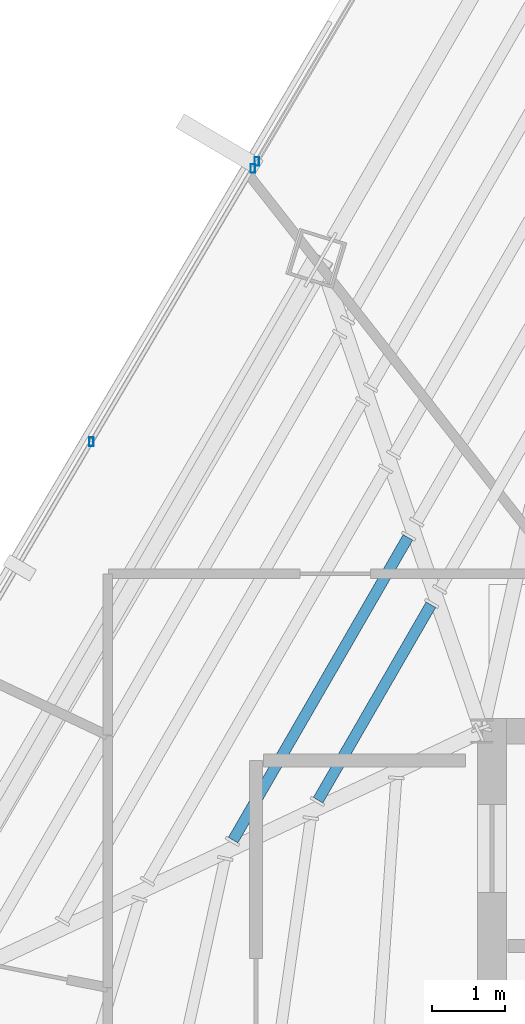
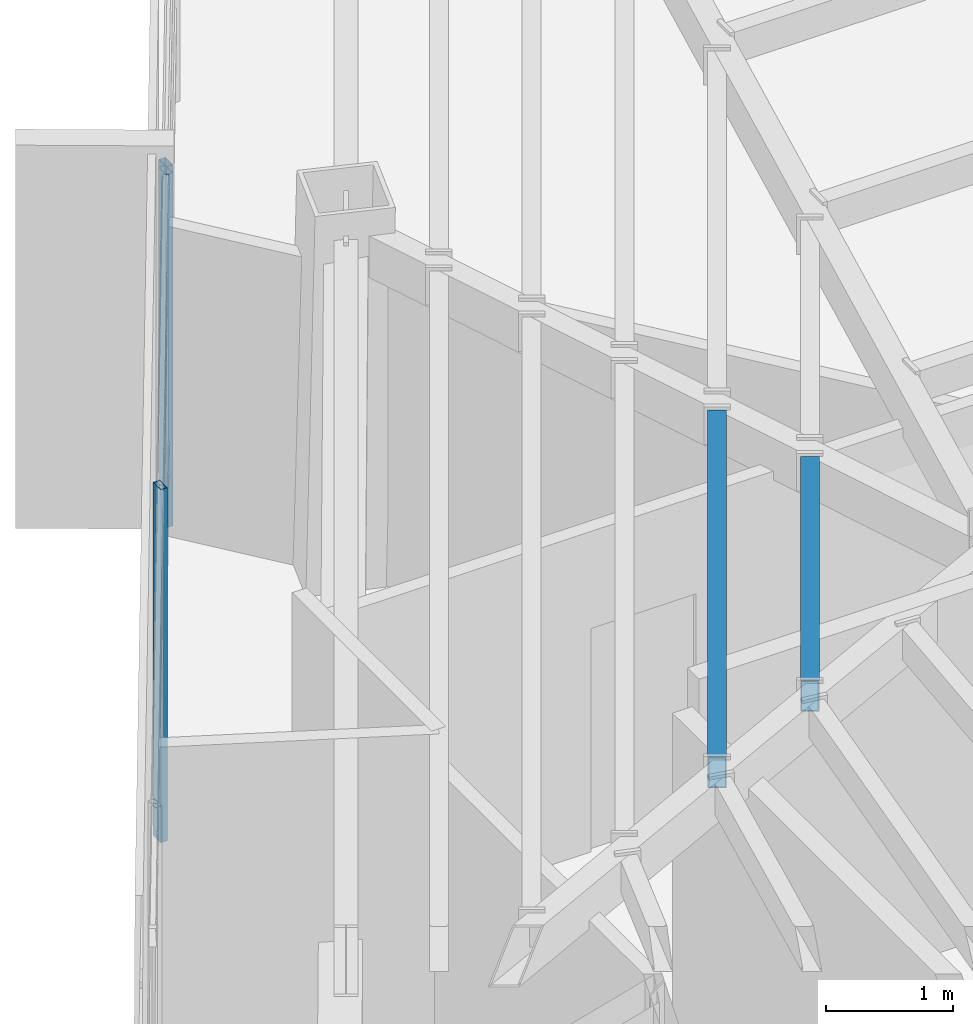
# One storey, part 17 of 47: 3 members, 2 beams, 2 elements without a shape of their own.
"""IFC4 building model written with IfcOpenShell, lengths in metres."""

from ifc_helpers import new_model, si_unit, direction, frame, origin, origin_2d, place, context, subcontext, project, spatial, hollow_rectangle, extrude, source, transform, mapped, material, material_profile, profile_set, type_object, type_shapes, element, aggregate, save


model = new_model("IFC4")

# Units and contexts
model_context = context("Model", 3, precision=1e-05, world=origin(), true_north=direction((0.0, 1.0)))
body_context = subcontext(model_context, "Body", "Model", "MODEL_VIEW")
ifc_project = project(units=[si_unit("LENGTHUNIT", "METRE"), si_unit("AREAUNIT", "SQUARE_METRE"), si_unit("VOLUMEUNIT", "CUBIC_METRE"), si_unit("PLANEANGLEUNIT", "RADIAN"), si_unit("MASSUNIT", "GRAM", prefix="KILO")], contexts=[model_context])

# Site, building, storey
site_placement = place(None, origin())
site = spatial("IfcSite", under=ifc_project, at=site_placement, CompositionType="ELEMENT")
building_placement = place(site_placement, origin())
building = spatial("IfcBuilding", under=site, at=building_placement, Name="Caelisora Broadcast Tower", CompositionType="ELEMENT")
storey_placement = place(building_placement, frame((0.0, 0.0, 255.39990234375)))
storey = spatial("IfcBuildingStorey", under=building, at=storey_placement, Name="L67", CompositionType="ELEMENT", Elevation=255.39990234375)

# Beams
ifc_material_1 = material(Name="Steel Grade 350 (AS/NZS 1163 C350L0)", Category="steel")
ifc_material_profile_1 = material_profile(ifc_material_1, hollow_rectangle(XDim=0.14990234375, YDim=0.300048828125, WallThickness=0.010009765625, at=origin_2d()), Name="Steel Grade 350 (AS/NZS 1163 C350L0)")
ifc_profile_set_1 = profile_set([ifc_material_profile_1], Name="Steel Grade 350 (AS/NZS 1163 C350L0)")
beam_type = type_object("IfcBeamType", Name="SB05", PredefinedType="JOIST", material=ifc_profile_set_1)
shared_shape_1 = source(origin(), body_context, "Body", "SweptSolid", [
    extrude(hollow_rectangle(XDim=0.14990234375, YDim=0.300048828125, WallThickness=0.010009765625, at=origin_2d()), origin(), (0.0, 0.0, 1.0), 3.079345703125),
])
beam_1_placement = place(storey_placement, frame((29.806884765625, 31.725341796875, 3.25), z_axis=(-0.499976393034, -0.866039032844, 0.0), x_axis=(0.866039032844, -0.499976393034, 0.0)))
element("IfcBeam", 1, at=beam_1_placement, inside=storey, type_object=beam_type, Name="L67 beam SB05", PredefinedType="JOIST", context=body_context, shape_type="MappedRepresentation", body=[
    mapped(shared_shape_1, transform((0.0, 0.0, 0.0), scale=1.0)),
])
shared_shape_2 = source(origin(), body_context, "Body", "SweptSolid", [
    extrude(hollow_rectangle(XDim=0.14990234375, YDim=0.300048828125, WallThickness=0.010009765625, at=origin_2d()), origin(), (0.0, 0.0, 1.0), 4.769287109375),
])
type_shapes(beam_type, [shared_shape_1, shared_shape_2])
beam_2_placement = place(storey_placement, frame((29.49267578125, 32.64404296875, 3.25), z_axis=(-0.500014901547, -0.866016800201, 0.0), x_axis=(0.866016800201, -0.500014901547, 0.0)))
element("IfcBeam", 2, at=beam_2_placement, inside=storey, type_object=beam_type, Name="L67 beam SB05", PredefinedType="JOIST", context=body_context, shape_type="MappedRepresentation", body=[
    mapped(shared_shape_2, transform((0.0, 0.0, 0.0), scale=1.0)),
])

# Curtain wall, members
ifc_material_2 = material(Name="Unitised Aluminium Insulated Shadow-Box Spandrel Curtain Wall", Category="aluminium")
curtain_wall_type_1 = type_object("IfcCurtainWallType", Name="CW-SP3", PredefinedType="NOTDEFINED", material=ifc_material_2)
curtain_wall_1_placement = place(storey_placement, origin())
curtain_wall_1 = element("IfcCurtainWall", 3, at=curtain_wall_1_placement, inside=storey, type_object=curtain_wall_type_1, Name="L67 curtain wall CW-SP3", PredefinedType="NOTDEFINED")
ifc_material_3 = material(Name="Aluminium 6063-T6 Anodised Terracotta Bronze", Category="aluminium")
ifc_material_profile_2 = material_profile(ifc_material_3, hollow_rectangle(XDim=0.06005859375, YDim=0.1201171875, WallThickness=0.0029296875, at=origin_2d()), Name="Aluminium 6063-T6 Anodised Terracotta Bronze")
ifc_profile_set_2 = profile_set([ifc_material_profile_2], Name="Aluminium 6063-T6 Anodised Terracotta Bronze")
member_type = type_object("IfcMemberType", Name="CWM-04", PredefinedType="MULLION", material=ifc_profile_set_2)
shared_shape_3 = source(origin(), body_context, "Body", "SweptSolid", [
    extrude(hollow_rectangle(XDim=0.06005859375, YDim=0.1201171875, WallThickness=0.0029296875, at=origin_2d()), origin(), (0.0, 0.0, 1.0), 3.400146484375),
])
type_shapes(member_type, [shared_shape_3])
member_1_placement = place(storey_placement, frame((25.17529296875, 33.948974609375, 0.0), z_axis=(0.0, 0.0, 1.0), x_axis=(1.0, 0.0, 0.0)))
member_1 = element("IfcMember", 4, at=member_1_placement, type_object=member_type, Name="L67-CW-B10 mullion #2", PredefinedType="MULLION", context=body_context, shape_type="MappedRepresentation", body=[
    mapped(shared_shape_3, transform((0.0, 0.0, 0.0), scale=1.0)),
])
member_2_placement = place(storey_placement, frame((27.376953125, 37.67724609375, 0.0), z_axis=(0.0, 0.0, 1.0), x_axis=(1.0, 0.0, 0.0)))
member_2 = element("IfcMember", 5, at=member_2_placement, type_object=member_type, Name="L67-CW-B10 mullion #3", PredefinedType="MULLION", context=body_context, shape_type="MappedRepresentation", body=[
    mapped(shared_shape_3, transform((0.0, 0.0, 0.0), scale=1.0)),
])
aggregate(curtain_wall_1, [member_1, member_2])

# Curtain wall, member
ifc_material_4 = material(Name="Unitised Aluminium and Low-E Glass Curtain Wall", Category="glass")
curtain_wall_type_2 = type_object("IfcCurtainWallType", Name="CW-Z5", PredefinedType="NOTDEFINED", material=ifc_material_4)
curtain_wall_2_placement = place(storey_placement, origin())
curtain_wall_2 = element("IfcCurtainWall", 6, at=curtain_wall_2_placement, inside=storey, type_object=curtain_wall_type_2, Name="L67 curtain wall CW-Z5", PredefinedType="NOTDEFINED")
member_3_placement = place(storey_placement, frame((27.432861328125, 37.772216796875, 0.0), z_axis=(0.0, 0.0, 1.0), x_axis=(1.0, 0.0, 0.0)))
member_3 = element("IfcMember", 7, at=member_3_placement, type_object=member_type, Name="L67-CW-B11 mullion #0", PredefinedType="MULLION", context=body_context, shape_type="MappedRepresentation", body=[
    mapped(shared_shape_3, transform((0.0, 0.0, 0.0), scale=1.0)),
])
aggregate(curtain_wall_2, [member_3])

save(model, "model.ifc")
